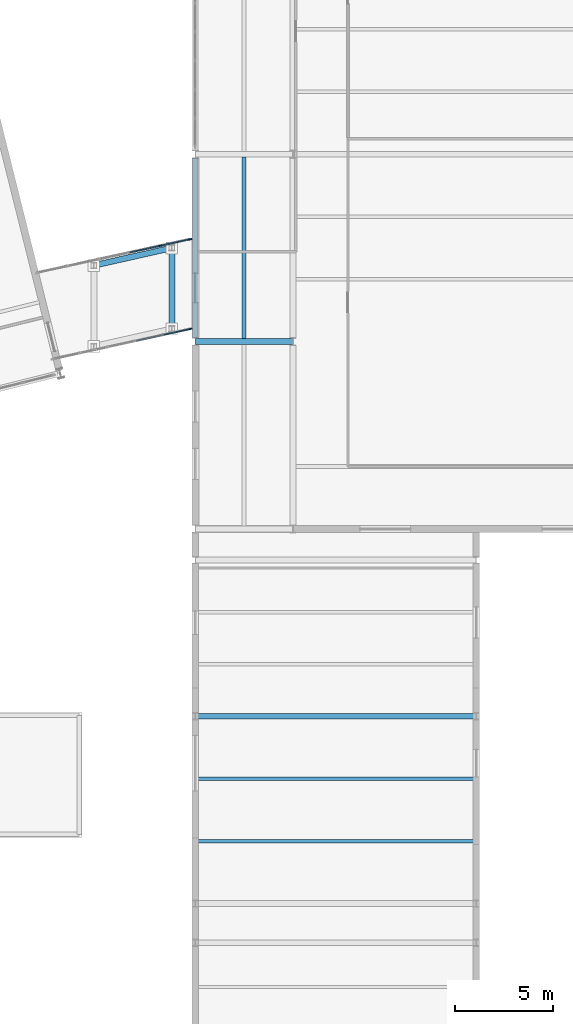
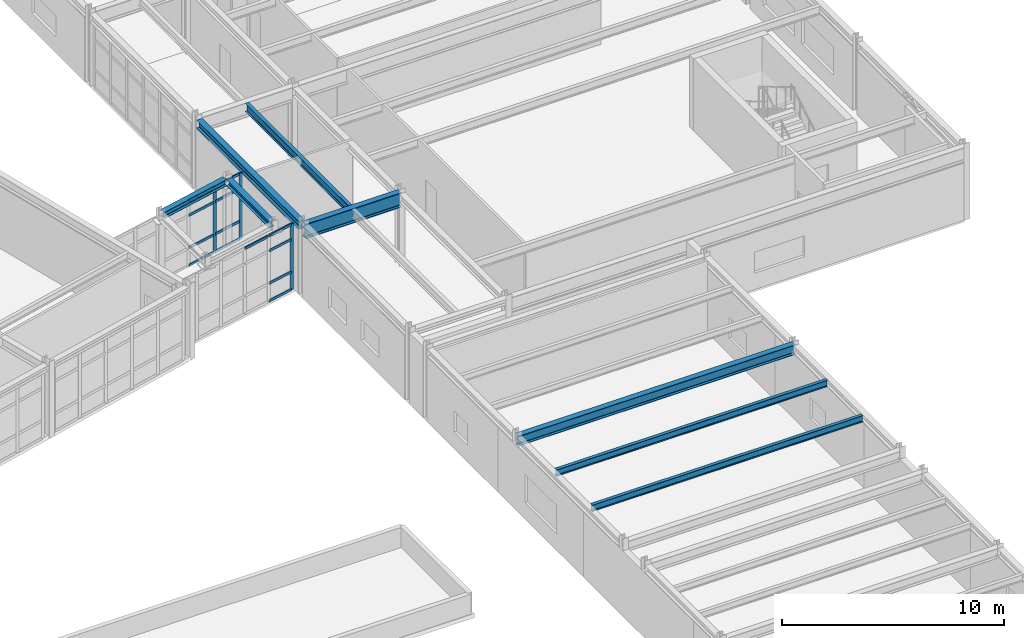
# One storey, part 33 of 99: 16 members, 8 beams, 2 elements without a shape of their own.
"""IFC4 building model written with IfcOpenShell, lengths in metres."""

from ifc_helpers import new_model, si_unit, direction, frame, origin, origin_2d, place, context, subcontext, project, spatial, rectangle, i_section, extrude, material, layer, layer_set, material_profile, profile_set, type_object, element, aggregate, save


model = new_model("IFC4")

# Units and contexts
model_context = context("Model", 3, precision=1e-05, world=origin(), true_north=direction((0.0, 1.0)))
body_context = subcontext(model_context, "Body", "Model", "MODEL_VIEW")
ifc_project = project(units=[si_unit("LENGTHUNIT", "METRE"), si_unit("AREAUNIT", "SQUARE_METRE"), si_unit("VOLUMEUNIT", "CUBIC_METRE"), si_unit("PLANEANGLEUNIT", "RADIAN"), si_unit("MASSUNIT", "GRAM", prefix="KILO")], contexts=[model_context])

# Site, building, storey
site_placement = place(None, origin())
site = spatial("IfcSite", under=ifc_project, at=site_placement, CompositionType="ELEMENT")
building_placement = place(site_placement, origin())
building = spatial("IfcBuilding", under=site, at=building_placement, Name="Nordkorset Police Headquarters", CompositionType="ELEMENT")
storey_placement = place(building_placement, frame((0.0, 0.0, 5.25)))
storey = spatial("IfcBuildingStorey", under=building, at=storey_placement, Name="L01", CompositionType="ELEMENT", Elevation=5.25)

# Beams
ifc_material_1 = material(Name="Steel S355J2", Category="steel")
ifc_material_profile_1 = material_profile(ifc_material_1, i_section(OverallWidth=0.169921875, OverallDepth=0.360107421875, WebThickness=0.008056640625, FlangeThickness=0.0126953125, FilletRadius=0.01806640625, at=origin_2d()), Name="IPE 360")
ifc_profile_set_1 = profile_set([ifc_material_profile_1], Name="Steel S355J2")
beam_type_1 = type_object("IfcBeamType", Name="Beam_IPE_360", PredefinedType="BEAM", material=ifc_profile_set_1)
for number, where, z_axis, x_axis, name in (
    (1, (86.550048828125, 32.0, 3.784912109375), (1.0, 0.0, 0.0), (0.0, 1.0, 0.0), "Composite Floor Beam V7EN L01 0-0-1"),
    (2, (86.550048828125, 35.199951171875, 3.784912109375), (1.0, 0.0, 0.0), (0.0, 1.0, 0.0), "Composite Floor Beam V7EN L01 0-0-2"),
):
    element("IfcBeam", number, at=place(storey_placement, frame(where, z_axis=z_axis, x_axis=x_axis)), inside=storey, type_object=beam_type_1, Name=name, PredefinedType="BEAM", context=body_context, shape_type="SweptSolid", body=[
        extrude(i_section(OverallWidth=0.169921875, OverallDepth=0.360107421875, WebThickness=0.008056640625, FlangeThickness=0.0126953125, FilletRadius=0.01806640625, at=origin_2d()), origin(), (0.0, 0.0, 1.0), 14.099853515625),
    ])
ifc_material_2 = material(Name="Steel S355J2", Category="steel")
ifc_material_profile_2 = material_profile(ifc_material_2, i_section(OverallWidth=0.18994140625, OverallDepth=0.449951171875, WebThickness=0.009521484375, FlangeThickness=0.0146484375, FilletRadius=0.02099609375, at=origin_2d()), Name="IPE 450")
ifc_profile_set_2 = profile_set([ifc_material_profile_2], Name="Steel S355J2")
beam_type_2 = type_object("IfcBeamType", Name="Beam_IPE_450", PredefinedType="BEAM", material=ifc_profile_set_2)
beam_1_placement = place(storey_placement, frame((88.89990234375, 57.75, 3.735107421875), z_axis=(0.0, 1.0, 0.0), x_axis=(-1.0, 0.0, 0.0)))
element("IfcBeam", 3, at=beam_1_placement, inside=storey, type_object=beam_type_2, Name="Composite Floor Beam V5 L01 0-1-1", PredefinedType="BEAM", context=body_context, shape_type="SweptSolid", body=[
    extrude(i_section(OverallWidth=0.18994140625, OverallDepth=0.449951171875, WebThickness=0.009521484375, FlangeThickness=0.0146484375, FilletRadius=0.02099609375, at=origin_2d()), origin(), (0.0, 0.0, 1.0), 9.300048828125),
])

# Curtain wall, member
ifc_material_3 = material(Name="Aluminium alloy AW-6060", Category="aluminium")
ifc_layer_1 = layer(ifc_material_3, 0.179931640625, Name="Aluminium alloy AW-6060")
ifc_layer_set_1 = layer_set([ifc_layer_1], Name="Aluminium alloy AW-6060")
curtain_wall_type_1 = type_object("IfcCurtainWallType", Name="CW_Unit_727x364", PredefinedType="USERDEFINED", material=ifc_layer_set_1)
curtain_wall_1_placement = place(storey_placement, origin())
curtain_wall_1 = element("IfcCurtainWall", 4, at=curtain_wall_1_placement, inside=storey, type_object=curtain_wall_type_1, Name="Unitised Curtain Wall L01 BRGE-S", ObjectType="UNITISED CURTAIN WALL", PredefinedType="USERDEFINED")
ifc_material_4 = material(Name="Aluminium alloy AW-6060", Category="aluminium")
ifc_material_profile_3 = material_profile(ifc_material_4, rectangle(XDim=0.06494140625, YDim=0.179931640625, at=origin_2d()), Name="ALU MULL 65x180")
ifc_profile_set_3 = profile_set([ifc_material_profile_3], Name="Aluminium alloy AW-6060")
member_type_1 = type_object("IfcMemberType", Name="CW_Mullion_65x180", PredefinedType="MULLION", material=ifc_profile_set_3)
member_1_placement = place(storey_placement, frame((86.142333984375, 58.24462890625, 0.0), z_axis=(0.0, 0.0, 1.0), x_axis=(-0.213736608425, 0.976891325695, 0.0)))
member_1 = element("IfcMember", 5, at=member_1_placement, type_object=member_type_1, Name="CW-07 mullion 6", PredefinedType="MULLION", context=body_context, shape_type="SweptSolid", body=[
    extrude(rectangle(XDim=0.06494140625, YDim=0.179931640625, at=origin_2d()), origin(), (0.0, 0.0, 1.0), 3.635009765625),
])

# Curtain wall, members
ifc_material_5 = material(Name="Aluminium alloy AW-6060", Category="aluminium")
ifc_layer_2 = layer(ifc_material_5, 0.179931640625, Name="Aluminium alloy AW-6060")
ifc_layer_set_2 = layer_set([ifc_layer_2], Name="Aluminium alloy AW-6060")
curtain_wall_type_2 = type_object("IfcCurtainWallType", Name="CW_Unit_809x364", PredefinedType="USERDEFINED", material=ifc_layer_set_2)
curtain_wall_2_placement = place(storey_placement, origin())
curtain_wall_2 = element("IfcCurtainWall", 6, at=curtain_wall_2_placement, inside=storey, type_object=curtain_wall_type_2, Name="Unitised Curtain Wall L01 BRGE-N", ObjectType="UNITISED CURTAIN WALL", PredefinedType="USERDEFINED")
member_2_placement = place(storey_placement, frame((84.594482421875, 62.5048828125, 0.0), z_axis=(0.0, 0.0, 1.0), x_axis=(-0.214298001706, 0.976768327939, 0.0)))
member_2 = element("IfcMember", 7, at=member_2_placement, type_object=member_type_1, Name="CW-40 mullion 5", PredefinedType="MULLION", context=body_context, shape_type="SweptSolid", body=[
    extrude(rectangle(XDim=0.06494140625, YDim=0.179931640625, at=origin_2d()), origin(), (0.0, 0.0, 1.0), 3.635009765625),
])
member_3_placement = place(storey_placement, frame((86.142333984375, 62.844482421875, 0.0), z_axis=(0.0, 0.0, 1.0), x_axis=(-0.214298001706, 0.976768327939, 0.0)))
member_3 = element("IfcMember", 8, at=member_3_placement, type_object=member_type_1, Name="CW-40 mullion 6", PredefinedType="MULLION", context=body_context, shape_type="SweptSolid", body=[
    extrude(rectangle(XDim=0.06494140625, YDim=0.179931640625, at=origin_2d()), origin(), (0.0, 0.0, 1.0), 3.635009765625),
])

# Member
ifc_material_6 = material(Name="Aluminium alloy AW-6060", Category="aluminium")
ifc_material_profile_4 = material_profile(ifc_material_6, rectangle(XDim=0.06494140625, YDim=0.139892578125, at=origin_2d()), Name="ALU TRAN 65x140")
ifc_profile_set_4 = profile_set([ifc_material_profile_4], Name="Aluminium alloy AW-6060")
member_type_2 = type_object("IfcMemberType", Name="CW_Transom_65x140", PredefinedType="USERDEFINED", material=ifc_profile_set_4)
member_4_placement = place(storey_placement, frame((83.36669921875, 57.63720703125, 3.6025390625), z_axis=(0.976860988586, 0.213875218243, 0.0), x_axis=(-0.213875218243, 0.976860988586, 0.0)))
member_4 = element("IfcMember", 9, at=member_4_placement, type_object=member_type_2, Name="CW-07 transom 4.4", ObjectType="TRANSOM", PredefinedType="USERDEFINED", context=body_context, shape_type="SweptSolid", body=[
    extrude(rectangle(XDim=0.06494140625, YDim=0.139892578125, at=origin_2d()), origin(), (0.0, 0.0, 1.0), 1.38818359375),
])

member_5_placement = place(storey_placement, frame((84.7861328125, 57.94775390625, 0.032470703125), z_axis=(0.976889443486, 0.213745210953, 0.0), x_axis=(-0.213745210953, 0.976889443486, 0.0)))
member_5 = element("IfcMember", 10, at=member_5_placement, type_object=member_type_2, Name="CW-07 transom 5.1", ObjectType="TRANSOM", PredefinedType="USERDEFINED", context=body_context, shape_type="SweptSolid", body=[
    extrude(rectangle(XDim=0.06494140625, YDim=0.139892578125, at=origin_2d()), origin(), (0.0, 0.0, 1.0), 1.355712890625),
])

member_6_placement = place(storey_placement, frame((84.7861328125, 57.94775390625, 1.0), z_axis=(0.976889443486, 0.213745210953, 0.0), x_axis=(-0.213745210953, 0.976889443486, 0.0)))
member_6 = element("IfcMember", 11, at=member_6_placement, type_object=member_type_2, Name="CW-07 transom 5.2", ObjectType="TRANSOM", PredefinedType="USERDEFINED", context=body_context, shape_type="SweptSolid", body=[
    extrude(rectangle(XDim=0.06494140625, YDim=0.139892578125, at=origin_2d()), origin(), (0.0, 0.0, 1.0), 1.355712890625),
])

member_7_placement = place(storey_placement, frame((84.7861328125, 57.94775390625, 2.784912109375), z_axis=(0.976889443486, 0.213745210953, 0.0), x_axis=(-0.213745210953, 0.976889443486, 0.0)))
member_7 = element("IfcMember", 12, at=member_7_placement, type_object=member_type_2, Name="CW-07 transom 5.3", ObjectType="TRANSOM", PredefinedType="USERDEFINED", context=body_context, shape_type="SweptSolid", body=[
    extrude(rectangle(XDim=0.06494140625, YDim=0.139892578125, at=origin_2d()), origin(), (0.0, 0.0, 1.0), 1.355712890625),
])

member_8_placement = place(storey_placement, frame((84.7861328125, 57.94775390625, 3.6025390625), z_axis=(0.976889443486, 0.213745210953, 0.0), x_axis=(-0.213745210953, 0.976889443486, 0.0)))
member_8 = element("IfcMember", 13, at=member_8_placement, type_object=member_type_2, Name="CW-07 transom 5.4", ObjectType="TRANSOM", PredefinedType="USERDEFINED", context=body_context, shape_type="SweptSolid", body=[
    extrude(rectangle(XDim=0.06494140625, YDim=0.139892578125, at=origin_2d()), origin(), (0.0, 0.0, 1.0), 1.355712890625),
])

aggregate(curtain_wall_1, [member_1, member_4, member_5, member_6, member_7, member_8])

member_9_placement = place(storey_placement, frame((83.046630859375, 62.165283203125, 0.032470703125), z_axis=(0.976782891569, 0.214231610035, 0.0), x_axis=(-0.214231610035, 0.976782891569, 0.0)))
member_9 = element("IfcMember", 14, at=member_9_placement, type_object=member_type_2, Name="CW-40 transom 4.1", ObjectType="TRANSOM", PredefinedType="USERDEFINED", context=body_context, shape_type="SweptSolid", body=[
    extrude(rectangle(XDim=0.06494140625, YDim=0.139892578125, at=origin_2d()), origin(), (0.0, 0.0, 1.0), 1.55224609375),
])

member_10_placement = place(storey_placement, frame((83.046630859375, 62.165283203125, 1.0), z_axis=(0.976782891569, 0.214231610035, 0.0), x_axis=(-0.214231610035, 0.976782891569, 0.0)))
member_10 = element("IfcMember", 15, at=member_10_placement, type_object=member_type_2, Name="CW-40 transom 4.2", ObjectType="TRANSOM", PredefinedType="USERDEFINED", context=body_context, shape_type="SweptSolid", body=[
    extrude(rectangle(XDim=0.06494140625, YDim=0.139892578125, at=origin_2d()), origin(), (0.0, 0.0, 1.0), 1.55224609375),
])

member_11_placement = place(storey_placement, frame((83.046630859375, 62.165283203125, 2.784912109375), z_axis=(0.976782891569, 0.214231610035, 0.0), x_axis=(-0.214231610035, 0.976782891569, 0.0)))
member_11 = element("IfcMember", 16, at=member_11_placement, type_object=member_type_2, Name="CW-40 transom 4.3", ObjectType="TRANSOM", PredefinedType="USERDEFINED", context=body_context, shape_type="SweptSolid", body=[
    extrude(rectangle(XDim=0.06494140625, YDim=0.139892578125, at=origin_2d()), origin(), (0.0, 0.0, 1.0), 1.55224609375),
])

member_12_placement = place(storey_placement, frame((83.046630859375, 62.165283203125, 3.6025390625), z_axis=(0.976782891569, 0.214231610035, 0.0), x_axis=(-0.214231610035, 0.976782891569, 0.0)))
member_12 = element("IfcMember", 17, at=member_12_placement, type_object=member_type_2, Name="CW-40 transom 4.4", ObjectType="TRANSOM", PredefinedType="USERDEFINED", context=body_context, shape_type="SweptSolid", body=[
    extrude(rectangle(XDim=0.06494140625, YDim=0.139892578125, at=origin_2d()), origin(), (0.0, 0.0, 1.0), 1.55224609375),
])

member_13_placement = place(storey_placement, frame((84.626220703125, 62.51171875, 0.032470703125), z_axis=(0.976765673538, 0.214310100082, 0.0), x_axis=(-0.214310100082, 0.976765673538, 0.0)))
member_13 = element("IfcMember", 18, at=member_13_placement, type_object=member_type_2, Name="CW-40 transom 5.1", ObjectType="TRANSOM", PredefinedType="USERDEFINED", context=body_context, shape_type="SweptSolid", body=[
    extrude(rectangle(XDim=0.06494140625, YDim=0.139892578125, at=origin_2d()), origin(), (0.0, 0.0, 1.0), 1.519775390625),
])

member_14_placement = place(storey_placement, frame((84.626220703125, 62.51171875, 1.0), z_axis=(0.976765673538, 0.214310100082, 0.0), x_axis=(-0.214310100082, 0.976765673538, 0.0)))
member_14 = element("IfcMember", 19, at=member_14_placement, type_object=member_type_2, Name="CW-40 transom 5.2", ObjectType="TRANSOM", PredefinedType="USERDEFINED", context=body_context, shape_type="SweptSolid", body=[
    extrude(rectangle(XDim=0.06494140625, YDim=0.139892578125, at=origin_2d()), origin(), (0.0, 0.0, 1.0), 1.519775390625),
])

member_15_placement = place(storey_placement, frame((84.626220703125, 62.51171875, 2.784912109375), z_axis=(0.976765673538, 0.214310100082, 0.0), x_axis=(-0.214310100082, 0.976765673538, 0.0)))
member_15 = element("IfcMember", 20, at=member_15_placement, type_object=member_type_2, Name="CW-40 transom 5.3", ObjectType="TRANSOM", PredefinedType="USERDEFINED", context=body_context, shape_type="SweptSolid", body=[
    extrude(rectangle(XDim=0.06494140625, YDim=0.139892578125, at=origin_2d()), origin(), (0.0, 0.0, 1.0), 1.519775390625),
])

member_16_placement = place(storey_placement, frame((84.626220703125, 62.51171875, 3.6025390625), z_axis=(0.976765673538, 0.214310100082, 0.0), x_axis=(-0.214310100082, 0.976765673538, 0.0)))
member_16 = element("IfcMember", 21, at=member_16_placement, type_object=member_type_2, Name="CW-40 transom 5.4", ObjectType="TRANSOM", PredefinedType="USERDEFINED", context=body_context, shape_type="SweptSolid", body=[
    extrude(rectangle(XDim=0.06494140625, YDim=0.139892578125, at=origin_2d()), origin(), (0.0, 0.0, 1.0), 1.519775390625),
])

aggregate(curtain_wall_2, [member_2, member_3, member_9, member_10, member_11, member_12, member_13, member_14, member_15, member_16])

# Beams
ifc_material_7 = material(Name="Steel S355J2", Category="steel")
ifc_material_profile_5 = material_profile(ifc_material_7, i_section(OverallWidth=0.300048828125, OverallDepth=0.35009765625, WebThickness=0.010009765625, FlangeThickness=0.017578125, FilletRadius=0.027099609375, at=origin_2d()), Name="HEA 360")
ifc_profile_set_5 = profile_set([ifc_material_profile_5], Name="Steel S355J2")
beam_type_3 = type_object("IfcBeamType", Name="Girder_HEA_360", PredefinedType="USERDEFINED", material=ifc_profile_set_5)
beam_2_placement = place(storey_placement, frame((81.346435546875, 61.532958984375, 3.830078125), z_axis=(0.97560459612, 0.219535127095, 0.0), x_axis=(-0.219535127095, 0.97560459612, 0.0)))
element("IfcBeam", 22, at=beam_2_placement, inside=storey, type_object=beam_type_3, Name="Courtyard Link Bridge Girder BRG-E L01 1", ObjectType="GIRDER", PredefinedType="USERDEFINED", context=body_context, shape_type="SweptSolid", body=[
    extrude(i_section(OverallWidth=0.300048828125, OverallDepth=0.35009765625, WebThickness=0.010009765625, FlangeThickness=0.017578125, FilletRadius=0.027099609375, at=origin_2d()), origin(), (0.0, 0.0, 1.0), 3.800048828125),
])
beam_3_placement = place(storey_placement, frame((85.199951171875, 58.39990234375, 3.830078125), z_axis=(0.0, 1.0, 0.0), x_axis=(-1.0, 0.0, 0.0)))
element("IfcBeam", 23, at=beam_3_placement, inside=storey, type_object=beam_type_3, Name="Courtyard Link Bridge Transverse Beam BRG-E L01 1", ObjectType="GIRDER", PredefinedType="USERDEFINED", context=body_context, shape_type="SweptSolid", body=[
    extrude(i_section(OverallWidth=0.300048828125, OverallDepth=0.35009765625, WebThickness=0.010009765625, FlangeThickness=0.017578125, FilletRadius=0.027099609375, at=origin_2d()), origin(), (0.0, 0.0, 1.0), 3.85009765625),
])
ifc_material_8 = material(Name="Steel S355J2", Category="steel")
ifc_material_profile_6 = material_profile(ifc_material_8, i_section(OverallWidth=0.300048828125, OverallDepth=0.43994140625, WebThickness=0.011474609375, FlangeThickness=0.02099609375, FilletRadius=0.027099609375, at=origin_2d()), Name="HEA 450")
ifc_profile_set_6 = profile_set([ifc_material_profile_6], Name="Steel S355J2")
beam_type_4 = type_object("IfcBeamType", Name="Girder_HEA_450", PredefinedType="USERDEFINED", material=ifc_profile_set_6)
beam_4_placement = place(storey_placement, frame((86.39990234375, 57.800048828125, 3.739990234375), z_axis=(0.0, 1.0, 0.0), x_axis=(-1.0, 0.0, 0.0)))
element("IfcBeam", 24, at=beam_4_placement, inside=storey, type_object=beam_type_4, Name="Girder V5 L01 GY-0-1", ObjectType="GIRDER", PredefinedType="USERDEFINED", context=body_context, shape_type="SweptSolid", body=[
    extrude(i_section(OverallWidth=0.300048828125, OverallDepth=0.43994140625, WebThickness=0.011474609375, FlangeThickness=0.02099609375, FilletRadius=0.027099609375, at=origin_2d()), origin(), (0.0, 0.0, 1.0), 9.199951171875),
])
ifc_material_9 = material(Name="Steel S355J2", Category="steel")
ifc_material_profile_7 = material_profile(ifc_material_9, i_section(OverallWidth=0.300048828125, OverallDepth=0.5400390625, WebThickness=0.012451171875, FlangeThickness=0.02392578125, FilletRadius=0.027099609375, at=origin_2d()), Name="HEA 550")
ifc_profile_set_7 = profile_set([ifc_material_profile_7], Name="Steel S355J2")
beam_type_5 = type_object("IfcBeamType", Name="Girder_HEA_550", PredefinedType="USERDEFINED", material=ifc_profile_set_7)
beam_5_placement = place(storey_placement, frame((86.406005859375, 38.39990234375, 3.695068359375), z_axis=(1.0, 0.0, 0.0), x_axis=(0.0, 1.0, 0.0)))
element("IfcBeam", 25, at=beam_5_placement, inside=storey, type_object=beam_type_5, Name="Girder V7EN L01 GX-1-0", ObjectType="GIRDER", PredefinedType="USERDEFINED", context=body_context, shape_type="SweptSolid", body=[
    extrude(i_section(OverallWidth=0.300048828125, OverallDepth=0.5400390625, WebThickness=0.012451171875, FlangeThickness=0.02392578125, FilletRadius=0.027099609375, at=origin_2d()), origin(), (0.0, 0.0, 1.0), 14.387939453125),
])
ifc_material_10 = material(Name="Steel S355J2", Category="steel")
ifc_material_profile_8 = material_profile(ifc_material_10, i_section(OverallWidth=0.300048828125, OverallDepth=0.800048828125, WebThickness=0.017578125, FlangeThickness=0.032958984375, FilletRadius=0.030029296875, at=origin_2d()), Name="HEB 800")
ifc_profile_set_8 = profile_set([ifc_material_profile_8], Name="Steel S355J2")
beam_type_6 = type_object("IfcBeamType", Name="Girder_HEB_800", PredefinedType="USERDEFINED", material=ifc_profile_set_8)
beam_6_placement = place(storey_placement, frame((86.40673828125, 57.60009765625, 3.56005859375), z_axis=(1.0, 0.0, 0.0), x_axis=(0.0, 1.0, 0.0)))
element("IfcBeam", 26, at=beam_6_placement, inside=storey, type_object=beam_type_6, Name="Girder V5 L01 GX-1-0", ObjectType="GIRDER", PredefinedType="USERDEFINED", context=body_context, shape_type="SweptSolid", body=[
    extrude(i_section(OverallWidth=0.300048828125, OverallDepth=0.800048828125, WebThickness=0.017578125, FlangeThickness=0.032958984375, FilletRadius=0.030029296875, at=origin_2d()), origin(), (0.0, 0.0, 1.0), 4.986572265625),
])

save(model, "model.ifc")
